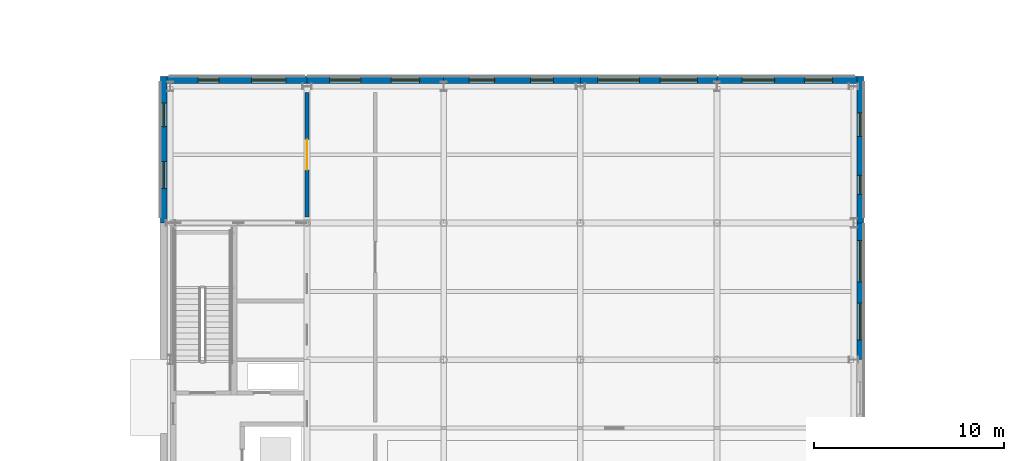
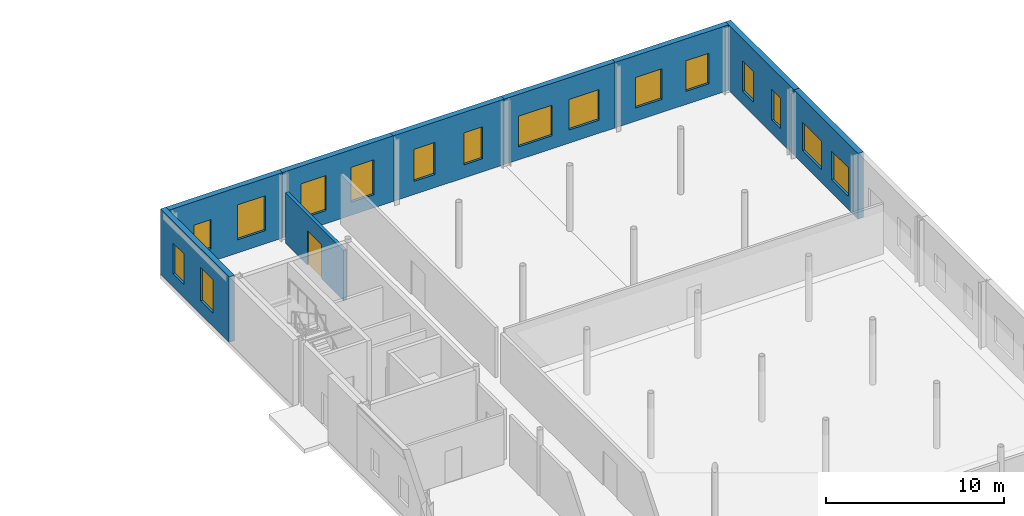
# One storey, part 70 of 92: 16 windows, 9 walls, 1 door, 17 openings.
"""IFC4 building model written with IfcOpenShell, lengths in metres."""

from ifc_helpers import new_model, si_unit, direction, frame, frame_2d, origin, place, context, subcontext, project, spatial, rectangle, extrude, material, layer, layer_set, type_object, element, fill, save


model = new_model("IFC4")

# Units and contexts
model_context = context("Model", 3, precision=1e-05, world=origin(), true_north=direction((0.0, 1.0)))
body_context = subcontext(model_context, "Body", "Model", "MODEL_VIEW")
ifc_project = project(units=[si_unit("LENGTHUNIT", "METRE"), si_unit("AREAUNIT", "SQUARE_METRE"), si_unit("VOLUMEUNIT", "CUBIC_METRE"), si_unit("PLANEANGLEUNIT", "RADIAN"), si_unit("MASSUNIT", "GRAM", prefix="KILO")], contexts=[model_context])

# Site, building, storey
site_placement = place(None, origin())
site = spatial("IfcSite", under=ifc_project, at=site_placement, CompositionType="ELEMENT")
building_placement = place(site_placement, origin())
building = spatial("IfcBuilding", under=site, at=building_placement, Name="Zlatovets Crest Museum", CompositionType="ELEMENT")
storey_placement = place(building_placement, origin())
storey = spatial("IfcBuildingStorey", under=building, at=storey_placement, Name="L00", CompositionType="ELEMENT", Elevation=0.0)

# Wall, openings, windows
ifc_material_1 = material(Name="Vratsa limestone ashlar masonry and mineral wool", Category="masonry")
ifc_layer_1 = layer(ifc_material_1, 0.35009765625)
ifc_layer_set_1 = layer_set([ifc_layer_1], Name="Vratsa limestone ashlar masonry and mineral wool")
wall_type_1 = type_object("IfcWallType", Name="ExtWall_EW-01", PredefinedType="STANDARD", material=ifc_layer_set_1)
wall_1_placement = place(storey_placement, frame((165.93994140625, 86.39990234375, 0.0), z_axis=(0.0, 0.0, 1.0), x_axis=(0.0, 1.0, 0.0)))
wall_1 = element("IfcWall", 1, at=wall_1_placement, inside=storey, type_object=wall_type_1, Name="V5 L00 Vratsa Limestone Plinth Wall", PredefinedType="STANDARD", context=body_context, shape_type="SweptSolid", body=[
    extrude(rectangle(XDim=7.2001953125, YDim=0.35009765625, at=frame_2d((3.60009765625, 0.0))), origin(), (0.0, 0.0, 1.0), 4.5),
])
opening_1_placement = place(wall_1_placement, frame((1.051025390625, 0.0, 0.89990234375)))
opening_1 = element("IfcOpeningElement", 2, at=opening_1_placement, cuts=wall_1, Name="Opening WN-38", PredefinedType="OPENING", context=body_context, shape_type="SweptSolid", body=[
    extrude(rectangle(XDim=1.929931640625, YDim=1.9599609375, at=frame_2d((0.96484375, 0.97998046875))), frame((0.0, 0.18505859375, 0.0), z_axis=(0.0, -1.0, 0.0), x_axis=(1.0, 0.0, 0.0)), (0.0, 0.0, 1.0), 0.3701171875),
])
opening_2_placement = place(wall_1_placement, frame((4.09912109375, 0.0, 0.89990234375)))
opening_2 = element("IfcOpeningElement", 3, at=opening_2_placement, cuts=wall_1, Name="Opening WN-39", PredefinedType="OPENING", context=body_context, shape_type="SweptSolid", body=[
    extrude(rectangle(XDim=2.169921875, YDim=1.9599609375, at=frame_2d((1.0849609375, 0.97998046875))), frame((0.0, 0.18505859375, 0.0), z_axis=(0.0, -1.0, 0.0), x_axis=(1.0, 0.0, 0.0)), (0.0, 0.0, 1.0), 0.3701171875),
])
ifc_material_2 = material(Name="Bronze-anodised aluminium frame with low-E triple glass", Category="aluminium")
window_type_1 = type_object("IfcWindowType", Name="Win_WN-38", PartitioningType="SINGLE_PANEL", PredefinedType="WINDOW", material=ifc_material_2)
window_1_placement = place(opening_1_placement, origin())
window_1 = element("IfcWindow", 4, at=window_1_placement, inside=storey, type_object=window_type_1, Name="V5 L00 Secession Plinth Window WN-38", OverallHeight=1.9599609375, OverallWidth=1.929931640625, PartitioningType="SINGLE_PANEL", PredefinedType="WINDOW", context=body_context, shape_type="SweptSolid", body=[
    extrude(rectangle(XDim=1.929931640625, YDim=1.9599609375, at=frame_2d((0.96484375, 0.97998046875))), frame((0.0, 0.030029296875, 0.0), z_axis=(0.0, -1.0, 0.0), x_axis=(1.0, 0.0, 0.0)), (0.0, 0.0, 1.0), 0.06005859375),
])
fill(opening_1, window_1)
window_type_2 = type_object("IfcWindowType", Name="Win_WN-39", PartitioningType="SINGLE_PANEL", PredefinedType="WINDOW", material=ifc_material_2)
window_2_placement = place(opening_2_placement, origin())
window_2 = element("IfcWindow", 5, at=window_2_placement, inside=storey, type_object=window_type_2, Name="V5 L00 Secession Plinth Window WN-39", OverallHeight=1.9599609375, OverallWidth=2.169921875, PartitioningType="SINGLE_PANEL", PredefinedType="WINDOW", context=body_context, shape_type="SweptSolid", body=[
    extrude(rectangle(XDim=2.169921875, YDim=1.9599609375, at=frame_2d((1.0849609375, 0.97998046875))), frame((0.0, 0.030029296875, 0.0), z_axis=(0.0, -1.0, 0.0), x_axis=(1.0, 0.0, 0.0)), (0.0, 0.0, 1.0), 0.06005859375),
])
fill(opening_2, window_2)

wall_2_placement = place(storey_placement, frame((165.93994140625, 93.60009765625, 0.0), z_axis=(0.0, 0.0, 1.0), x_axis=(0.0, 1.0, 0.0)))
wall_2 = element("IfcWall", 6, at=wall_2_placement, inside=storey, type_object=wall_type_1, Name="V5 L00 Vratsa Limestone Plinth Wall", PredefinedType="STANDARD", context=body_context, shape_type="SweptSolid", body=[
    extrude(rectangle(XDim=7.71484375, YDim=0.35009765625, at=frame_2d((3.857421875, 0.0))), origin(), (0.0, 0.0, 1.0), 4.5),
])
opening_3_placement = place(wall_2_placement, frame((1.51611328125, 0.0, 0.89990234375)))
opening_3 = element("IfcOpeningElement", 7, at=opening_3_placement, cuts=wall_2, Name="Opening WN-40", PredefinedType="OPENING", context=body_context, shape_type="SweptSolid", body=[
    extrude(rectangle(XDim=1.0, YDim=2.10009765625, at=frame_2d((0.5, 1.050048828125))), frame((0.0, 0.18505859375, 0.0), z_axis=(0.0, -1.0, 0.0), x_axis=(1.0, 0.0, 0.0)), (0.0, 0.0, 1.0), 0.3701171875),
])
opening_4_placement = place(wall_2_placement, frame((4.56396484375, 0.0, 0.89990234375)))
opening_4 = element("IfcOpeningElement", 8, at=opening_4_placement, cuts=wall_2, Name="Opening WN-41", PredefinedType="OPENING", context=body_context, shape_type="SweptSolid", body=[
    extrude(rectangle(XDim=1.239990234375, YDim=2.10009765625, at=frame_2d((0.6201171875, 1.050048828125))), frame((0.0, 0.18505859375, 0.0), z_axis=(0.0, -1.0, 0.0), x_axis=(1.0, 0.0, 0.0)), (0.0, 0.0, 1.0), 0.3701171875),
])
window_type_3 = type_object("IfcWindowType", Name="Win_WN-40", PartitioningType="SINGLE_PANEL", PredefinedType="WINDOW", material=ifc_material_2)
window_3_placement = place(opening_3_placement, origin())
window_3 = element("IfcWindow", 9, at=window_3_placement, inside=storey, type_object=window_type_3, Name="V5 L00 Secession Plinth Window WN-40", OverallHeight=2.10009765625, OverallWidth=1.0, PartitioningType="SINGLE_PANEL", PredefinedType="WINDOW", context=body_context, shape_type="SweptSolid", body=[
    extrude(rectangle(XDim=1.0, YDim=2.10009765625, at=frame_2d((0.5, 1.050048828125))), frame((0.0, 0.030029296875, 0.0), z_axis=(0.0, -1.0, 0.0), x_axis=(1.0, 0.0, 0.0)), (0.0, 0.0, 1.0), 0.06005859375),
])
fill(opening_3, window_3)
window_type_4 = type_object("IfcWindowType", Name="Win_WN-41", PartitioningType="SINGLE_PANEL", PredefinedType="WINDOW", material=ifc_material_2)
window_4_placement = place(opening_4_placement, origin())
window_4 = element("IfcWindow", 10, at=window_4_placement, inside=storey, type_object=window_type_4, Name="V5 L00 Secession Plinth Window WN-41", OverallHeight=2.10009765625, OverallWidth=1.239990234375, PartitioningType="SINGLE_PANEL", PredefinedType="WINDOW", context=body_context, shape_type="SweptSolid", body=[
    extrude(rectangle(XDim=1.239990234375, YDim=2.10009765625, at=frame_2d((0.6201171875, 1.050048828125))), frame((0.0, 0.030029296875, 0.0), z_axis=(0.0, -1.0, 0.0), x_axis=(1.0, 0.0, 0.0)), (0.0, 0.0, 1.0), 0.06005859375),
])
fill(opening_4, window_4)

wall_3_placement = place(storey_placement, frame((165.764892578125, 101.139892578125, 0.0), z_axis=(0.0, 0.0, 1.0), x_axis=(-1.0, 0.0, 0.0)))
wall_3 = element("IfcWall", 11, at=wall_3_placement, inside=storey, type_object=wall_type_1, Name="V5 L00 Vratsa Limestone Plinth Wall", PredefinedType="STANDARD", context=body_context, shape_type="SweptSolid", body=[
    extrude(rectangle(XDim=7.364990234375, YDim=0.35009765625, at=frame_2d((3.6826171875, 0.0))), origin(), (0.0, 0.0, 1.0), 4.5),
])
opening_5_placement = place(wall_3_placement, frame((1.27587890625, 0.0, 0.89990234375)))
opening_5 = element("IfcOpeningElement", 12, at=opening_5_placement, cuts=wall_3, Name="Opening WN-42", PredefinedType="OPENING", context=body_context, shape_type="SweptSolid", body=[
    extrude(rectangle(XDim=1.47998046875, YDim=2.10009765625, at=frame_2d((0.739990234375, 1.050048828125))), frame((0.0, 0.18505859375, 0.0), z_axis=(0.0, -1.0, 0.0), x_axis=(1.0, 0.0, 0.0)), (0.0, 0.0, 1.0), 0.3701171875),
])
opening_6_placement = place(wall_3_placement, frame((4.323974609375, 0.0, 0.89990234375)))
opening_6 = element("IfcOpeningElement", 13, at=opening_6_placement, cuts=wall_3, Name="Opening WN-43", PredefinedType="OPENING", context=body_context, shape_type="SweptSolid", body=[
    extrude(rectangle(XDim=1.719970703125, YDim=2.10009765625, at=frame_2d((0.85986328125, 1.050048828125))), frame((0.0, 0.18505859375, 0.0), z_axis=(0.0, -1.0, 0.0), x_axis=(1.0, 0.0, 0.0)), (0.0, 0.0, 1.0), 0.3701171875),
])
window_type_5 = type_object("IfcWindowType", Name="Win_WN-42", PartitioningType="SINGLE_PANEL", PredefinedType="WINDOW", material=ifc_material_2)
window_5_placement = place(opening_5_placement, origin())
window_5 = element("IfcWindow", 14, at=window_5_placement, inside=storey, type_object=window_type_5, Name="V5 L00 Secession Plinth Window WN-42", OverallHeight=2.10009765625, OverallWidth=1.47998046875, PartitioningType="SINGLE_PANEL", PredefinedType="WINDOW", context=body_context, shape_type="SweptSolid", body=[
    extrude(rectangle(XDim=1.47998046875, YDim=2.10009765625, at=frame_2d((0.739990234375, 1.050048828125))), frame((0.0, 0.030029296875, 0.0), z_axis=(0.0, -1.0, 0.0), x_axis=(1.0, 0.0, 0.0)), (0.0, 0.0, 1.0), 0.06005859375),
])
fill(opening_5, window_5)
window_type_6 = type_object("IfcWindowType", Name="Win_WN-43", PartitioningType="SINGLE_PANEL", PredefinedType="WINDOW", material=ifc_material_2)
window_6_placement = place(opening_6_placement, origin())
window_6 = element("IfcWindow", 15, at=window_6_placement, inside=storey, type_object=window_type_6, Name="V5 L00 Secession Plinth Window WN-43", OverallHeight=2.10009765625, OverallWidth=1.719970703125, PartitioningType="SINGLE_PANEL", PredefinedType="WINDOW", context=body_context, shape_type="SweptSolid", body=[
    extrude(rectangle(XDim=1.719970703125, YDim=2.10009765625, at=frame_2d((0.85986328125, 1.050048828125))), frame((0.0, 0.030029296875, 0.0), z_axis=(0.0, -1.0, 0.0), x_axis=(1.0, 0.0, 0.0)), (0.0, 0.0, 1.0), 0.06005859375),
])
fill(opening_6, window_6)

wall_4_placement = place(storey_placement, frame((158.39990234375, 101.139892578125, 0.0), z_axis=(0.0, 0.0, 1.0), x_axis=(-1.0, 0.0, 0.0)))
wall_4 = element("IfcWall", 16, at=wall_4_placement, inside=storey, type_object=wall_type_1, Name="V5 L00 Vratsa Limestone Plinth Wall", PredefinedType="STANDARD", context=body_context, shape_type="SweptSolid", body=[
    extrude(rectangle(XDim=7.199951171875, YDim=0.35009765625, at=frame_2d((3.60009765625, 0.0))), origin(), (0.0, 0.0, 1.0), 4.5),
])
opening_7_placement = place(wall_4_placement, frame((1.035888671875, 0.0, 0.89990234375)))
opening_7 = element("IfcOpeningElement", 17, at=opening_7_placement, cuts=wall_4, Name="Opening WN-44", PredefinedType="OPENING", context=body_context, shape_type="SweptSolid", body=[
    extrude(rectangle(XDim=1.9599609375, YDim=2.10009765625, at=frame_2d((0.97998046875, 1.050048828125))), frame((0.0, 0.18505859375, 0.0), z_axis=(0.0, -1.0, 0.0), x_axis=(1.0, 0.0, 0.0)), (0.0, 0.0, 1.0), 0.3701171875),
])
opening_8_placement = place(wall_4_placement, frame((4.083984375, 0.0, 0.89990234375)))
opening_8 = element("IfcOpeningElement", 18, at=opening_8_placement, cuts=wall_4, Name="Opening WN-45", PredefinedType="OPENING", context=body_context, shape_type="SweptSolid", body=[
    extrude(rectangle(XDim=2.199951171875, YDim=2.10009765625, at=frame_2d((1.10009765625, 1.050048828125))), frame((0.0, 0.18505859375, 0.0), z_axis=(0.0, -1.0, 0.0), x_axis=(1.0, 0.0, 0.0)), (0.0, 0.0, 1.0), 0.3701171875),
])
window_type_7 = type_object("IfcWindowType", Name="Win_WN-44", PartitioningType="SINGLE_PANEL", PredefinedType="WINDOW", material=ifc_material_2)
window_7_placement = place(opening_7_placement, origin())
window_7 = element("IfcWindow", 19, at=window_7_placement, inside=storey, type_object=window_type_7, Name="V5 L00 Secession Plinth Window WN-44", OverallHeight=2.10009765625, OverallWidth=1.9599609375, PartitioningType="SINGLE_PANEL", PredefinedType="WINDOW", context=body_context, shape_type="SweptSolid", body=[
    extrude(rectangle(XDim=1.9599609375, YDim=2.10009765625, at=frame_2d((0.97998046875, 1.050048828125))), frame((0.0, 0.030029296875, 0.0), z_axis=(0.0, -1.0, 0.0), x_axis=(1.0, 0.0, 0.0)), (0.0, 0.0, 1.0), 0.06005859375),
])
fill(opening_7, window_7)
window_type_8 = type_object("IfcWindowType", Name="Win_WN-45", PartitioningType="SINGLE_PANEL", PredefinedType="WINDOW", material=ifc_material_2)
window_8_placement = place(opening_8_placement, origin())
window_8 = element("IfcWindow", 20, at=window_8_placement, inside=storey, type_object=window_type_8, Name="V5 L00 Secession Plinth Window WN-45", OverallHeight=2.10009765625, OverallWidth=2.199951171875, PartitioningType="SINGLE_PANEL", PredefinedType="WINDOW", context=body_context, shape_type="SweptSolid", body=[
    extrude(rectangle(XDim=2.199951171875, YDim=2.10009765625, at=frame_2d((1.10009765625, 1.050048828125))), frame((0.0, 0.030029296875, 0.0), z_axis=(0.0, -1.0, 0.0), x_axis=(1.0, 0.0, 0.0)), (0.0, 0.0, 1.0), 0.06005859375),
])
fill(opening_8, window_8)

wall_5_placement = place(storey_placement, frame((151.199951171875, 101.139892578125, 0.0), z_axis=(0.0, 0.0, 1.0), x_axis=(-1.0, 0.0, 0.0)))
wall_5 = element("IfcWall", 21, at=wall_5_placement, inside=storey, type_object=wall_type_1, Name="V5 L00 Vratsa Limestone Plinth Wall", PredefinedType="STANDARD", context=body_context, shape_type="SweptSolid", body=[
    extrude(rectangle(XDim=7.199951171875, YDim=0.35009765625, at=frame_2d((3.60009765625, 0.0))), origin(), (0.0, 0.0, 1.0), 4.5),
])
opening_9_placement = place(wall_5_placement, frame((1.416015625, 0.0, 0.89990234375)))
opening_9 = element("IfcOpeningElement", 22, at=opening_9_placement, cuts=wall_5, Name="Opening WN-01", PredefinedType="OPENING", context=body_context, shape_type="SweptSolid", body=[
    extrude(rectangle(XDim=1.199951171875, YDim=2.199951171875, at=frame_2d((0.60009765625, 1.10009765625))), frame((0.0, 0.18505859375, 0.0), z_axis=(0.0, -1.0, 0.0), x_axis=(1.0, 0.0, 0.0)), (0.0, 0.0, 1.0), 0.3701171875),
])
opening_10_placement = place(wall_5_placement, frame((4.509033203125, 0.0, 0.89990234375)))
opening_10 = element("IfcOpeningElement", 23, at=opening_10_placement, cuts=wall_5, Name="Opening WN-02", PredefinedType="OPENING", context=body_context, shape_type="SweptSolid", body=[
    extrude(rectangle(XDim=1.35009765625, YDim=2.199951171875, at=frame_2d((0.675048828125, 1.10009765625))), frame((0.0, 0.18505859375, 0.0), z_axis=(0.0, -1.0, 0.0), x_axis=(1.0, 0.0, 0.0)), (0.0, 0.0, 1.0), 0.3701171875),
])
window_type_9 = type_object("IfcWindowType", Name="Win_WN-01", PartitioningType="SINGLE_PANEL", PredefinedType="WINDOW", material=ifc_material_2)
window_9_placement = place(opening_9_placement, origin())
window_9 = element("IfcWindow", 24, at=window_9_placement, inside=storey, type_object=window_type_9, Name="V5 L00 Secession Plinth Window WN-01", OverallHeight=2.199951171875, OverallWidth=1.199951171875, PartitioningType="SINGLE_PANEL", PredefinedType="WINDOW", context=body_context, shape_type="SweptSolid", body=[
    extrude(rectangle(XDim=1.199951171875, YDim=2.199951171875, at=frame_2d((0.60009765625, 1.10009765625))), frame((0.0, 0.030029296875, 0.0), z_axis=(0.0, -1.0, 0.0), x_axis=(1.0, 0.0, 0.0)), (0.0, 0.0, 1.0), 0.06005859375),
])
fill(opening_9, window_9)
window_type_10 = type_object("IfcWindowType", Name="Win_WN-02", PartitioningType="SINGLE_PANEL", PredefinedType="WINDOW", material=ifc_material_2)
window_10_placement = place(opening_10_placement, origin())
window_10 = element("IfcWindow", 25, at=window_10_placement, inside=storey, type_object=window_type_10, Name="V5 L00 Secession Plinth Window WN-02", OverallHeight=2.199951171875, OverallWidth=1.35009765625, PartitioningType="SINGLE_PANEL", PredefinedType="WINDOW", context=body_context, shape_type="SweptSolid", body=[
    extrude(rectangle(XDim=1.35009765625, YDim=2.199951171875, at=frame_2d((0.675048828125, 1.10009765625))), frame((0.0, 0.030029296875, 0.0), z_axis=(0.0, -1.0, 0.0), x_axis=(1.0, 0.0, 0.0)), (0.0, 0.0, 1.0), 0.06005859375),
])
fill(opening_10, window_10)

wall_6_placement = place(storey_placement, frame((144.0, 101.139892578125, 0.0), z_axis=(0.0, 0.0, 1.0), x_axis=(-1.0, 0.0, 0.0)))
wall_6 = element("IfcWall", 26, at=wall_6_placement, inside=storey, type_object=wall_type_1, Name="V5 L00 Vratsa Limestone Plinth Wall", PredefinedType="STANDARD", context=body_context, shape_type="SweptSolid", body=[
    extrude(rectangle(XDim=7.199951171875, YDim=0.35009765625, at=frame_2d((3.60009765625, 0.0))), origin(), (0.0, 0.0, 1.0), 4.5),
])
opening_11_placement = place(wall_6_placement, frame((1.26611328125, 0.0, 0.89990234375)))
opening_11 = element("IfcOpeningElement", 27, at=opening_11_placement, cuts=wall_6, Name="Opening WN-03", PredefinedType="OPENING", context=body_context, shape_type="SweptSolid", body=[
    extrude(rectangle(XDim=1.5, YDim=2.39990234375, at=frame_2d((0.75, 1.199951171875))), frame((0.0, 0.18505859375, 0.0), z_axis=(0.0, -1.0, 0.0), x_axis=(1.0, 0.0, 0.0)), (0.0, 0.0, 1.0), 0.3701171875),
])
opening_12_placement = place(wall_6_placement, frame((4.35888671875, 0.0, 0.89990234375)))
opening_12 = element("IfcOpeningElement", 28, at=opening_12_placement, cuts=wall_6, Name="Opening WN-04", PredefinedType="OPENING", context=body_context, shape_type="SweptSolid", body=[
    extrude(rectangle(XDim=1.64990234375, YDim=2.39990234375, at=frame_2d((0.824951171875, 1.199951171875))), frame((0.0, 0.18505859375, 0.0), z_axis=(0.0, -1.0, 0.0), x_axis=(1.0, 0.0, 0.0)), (0.0, 0.0, 1.0), 0.3701171875),
])
window_type_11 = type_object("IfcWindowType", Name="Win_WN-03", PartitioningType="SINGLE_PANEL", PredefinedType="WINDOW", material=ifc_material_2)
window_11_placement = place(opening_11_placement, origin())
window_11 = element("IfcWindow", 29, at=window_11_placement, inside=storey, type_object=window_type_11, Name="V5 L00 Secession Plinth Window WN-03", OverallHeight=2.39990234375, OverallWidth=1.5, PartitioningType="SINGLE_PANEL", PredefinedType="WINDOW", context=body_context, shape_type="SweptSolid", body=[
    extrude(rectangle(XDim=1.5, YDim=2.39990234375, at=frame_2d((0.75, 1.199951171875))), frame((0.0, 0.030029296875, 0.0), z_axis=(0.0, -1.0, 0.0), x_axis=(1.0, 0.0, 0.0)), (0.0, 0.0, 1.0), 0.06005859375),
])
fill(opening_11, window_11)
window_type_12 = type_object("IfcWindowType", Name="Win_WN-04", PartitioningType="SINGLE_PANEL", PredefinedType="WINDOW", material=ifc_material_2)
window_12_placement = place(opening_12_placement, origin())
window_12 = element("IfcWindow", 30, at=window_12_placement, inside=storey, type_object=window_type_12, Name="V5 L00 Secession Plinth Window WN-04", OverallHeight=2.39990234375, OverallWidth=1.64990234375, PartitioningType="SINGLE_PANEL", PredefinedType="WINDOW", context=body_context, shape_type="SweptSolid", body=[
    extrude(rectangle(XDim=1.64990234375, YDim=2.39990234375, at=frame_2d((0.824951171875, 1.199951171875))), frame((0.0, 0.030029296875, 0.0), z_axis=(0.0, -1.0, 0.0), x_axis=(1.0, 0.0, 0.0)), (0.0, 0.0, 1.0), 0.06005859375),
])
fill(opening_12, window_12)

wall_7_placement = place(storey_placement, frame((136.800048828125, 101.139892578125, 0.0), z_axis=(0.0, 0.0, 1.0), x_axis=(-1.0, 0.0, 0.0)))
wall_7 = element("IfcWall", 31, at=wall_7_placement, inside=storey, type_object=wall_type_1, Name="V5 L00 Vratsa Limestone Plinth Wall", PredefinedType="STANDARD", context=body_context, shape_type="SweptSolid", body=[
    extrude(rectangle(XDim=7.364990234375, YDim=0.35009765625, at=frame_2d((3.6826171875, 0.0))), origin(), (0.0, 0.0, 1.0), 4.5),
])
opening_13_placement = place(wall_7_placement, frame((1.115966796875, 0.0, 0.89990234375)))
opening_13 = element("IfcOpeningElement", 32, at=opening_13_placement, cuts=wall_7, Name="Opening WN-05", PredefinedType="OPENING", context=body_context, shape_type="SweptSolid", body=[
    extrude(rectangle(XDim=1.800048828125, YDim=2.39990234375, at=frame_2d((0.89990234375, 1.199951171875))), frame((0.0, 0.18505859375, 0.0), z_axis=(0.0, -1.0, 0.0), x_axis=(1.0, 0.0, 0.0)), (0.0, 0.0, 1.0), 0.3701171875),
])
opening_14_placement = place(wall_7_placement, frame((4.634033203125, 0.0, 0.89990234375)))
opening_14 = element("IfcOpeningElement", 33, at=opening_14_placement, cuts=wall_7, Name="Opening WN-06", PredefinedType="OPENING", context=body_context, shape_type="SweptSolid", body=[
    extrude(rectangle(XDim=1.10009765625, YDim=2.0, at=frame_2d((0.550048828125, 1.0))), frame((0.0, 0.18505859375, 0.0), z_axis=(0.0, -1.0, 0.0), x_axis=(1.0, 0.0, 0.0)), (0.0, 0.0, 1.0), 0.3701171875),
])
window_type_13 = type_object("IfcWindowType", Name="Win_WN-05", PartitioningType="SINGLE_PANEL", PredefinedType="WINDOW", material=ifc_material_2)
window_13_placement = place(opening_13_placement, origin())
window_13 = element("IfcWindow", 34, at=window_13_placement, inside=storey, type_object=window_type_13, Name="V5 L00 Secession Plinth Window WN-05", OverallHeight=2.39990234375, OverallWidth=1.800048828125, PartitioningType="SINGLE_PANEL", PredefinedType="WINDOW", context=body_context, shape_type="SweptSolid", body=[
    extrude(rectangle(XDim=1.800048828125, YDim=2.39990234375, at=frame_2d((0.89990234375, 1.199951171875))), frame((0.0, 0.030029296875, 0.0), z_axis=(0.0, -1.0, 0.0), x_axis=(1.0, 0.0, 0.0)), (0.0, 0.0, 1.0), 0.06005859375),
])
fill(opening_13, window_13)
window_type_14 = type_object("IfcWindowType", Name="Win_WN-06", PartitioningType="SINGLE_PANEL", PredefinedType="WINDOW", material=ifc_material_2)
window_14_placement = place(opening_14_placement, origin())
window_14 = element("IfcWindow", 35, at=window_14_placement, inside=storey, type_object=window_type_14, Name="V5 L00 Secession Plinth Window WN-06", OverallHeight=2.0, OverallWidth=1.10009765625, PartitioningType="SINGLE_PANEL", PredefinedType="WINDOW", context=body_context, shape_type="SweptSolid", body=[
    extrude(rectangle(XDim=1.10009765625, YDim=2.0, at=frame_2d((0.550048828125, 1.0))), frame((0.0, 0.030029296875, 0.0), z_axis=(0.0, -1.0, 0.0), x_axis=(1.0, 0.0, 0.0)), (0.0, 0.0, 1.0), 0.06005859375),
])
fill(opening_14, window_14)

wall_8_placement = place(storey_placement, frame((129.260009765625, 101.31494140625, 0.0), z_axis=(0.0, 0.0, 1.0), x_axis=(0.0, -1.0, 0.0)))
wall_8 = element("IfcWall", 36, at=wall_8_placement, inside=storey, type_object=wall_type_1, Name="V5 L00 Vratsa Limestone Plinth Wall", PredefinedType="STANDARD", context=body_context, shape_type="SweptSolid", body=[
    extrude(rectangle(XDim=7.71484375, YDim=0.35009765625, at=frame_2d((3.857421875, 0.0))), origin(), (0.0, 0.0, 1.0), 4.5),
])
opening_15_placement = place(wall_8_placement, frame((1.39111328125, 0.0, 0.89990234375)))
opening_15 = element("IfcOpeningElement", 37, at=opening_15_placement, cuts=wall_8, Name="Opening WN-07", PredefinedType="OPENING", context=body_context, shape_type="SweptSolid", body=[
    extrude(rectangle(XDim=1.25, YDim=2.10009765625, at=frame_2d((0.625, 1.050048828125))), frame((0.0, 0.18505859375, 0.0), z_axis=(0.0, -1.0, 0.0), x_axis=(1.0, 0.0, 0.0)), (0.0, 0.0, 1.0), 0.3701171875),
])
opening_16_placement = place(wall_8_placement, frame((4.48388671875, 0.0, 0.89990234375)))
opening_16 = element("IfcOpeningElement", 38, at=opening_16_placement, cuts=wall_8, Name="Opening WN-08", PredefinedType="OPENING", context=body_context, shape_type="SweptSolid", body=[
    extrude(rectangle(XDim=1.39990234375, YDim=2.300048828125, at=frame_2d((0.699951171875, 1.14990234375))), frame((0.0, 0.18505859375, 0.0), z_axis=(0.0, -1.0, 0.0), x_axis=(1.0, 0.0, 0.0)), (0.0, 0.0, 1.0), 0.3701171875),
])
window_type_15 = type_object("IfcWindowType", Name="Win_WN-07", PartitioningType="SINGLE_PANEL", PredefinedType="WINDOW", material=ifc_material_2)
window_15_placement = place(opening_15_placement, origin())
window_15 = element("IfcWindow", 39, at=window_15_placement, inside=storey, type_object=window_type_15, Name="V5 L00 Secession Plinth Window WN-07", OverallHeight=2.10009765625, OverallWidth=1.25, PartitioningType="SINGLE_PANEL", PredefinedType="WINDOW", context=body_context, shape_type="SweptSolid", body=[
    extrude(rectangle(XDim=1.25, YDim=2.10009765625, at=frame_2d((0.625, 1.050048828125))), frame((0.0, 0.030029296875, 0.0), z_axis=(0.0, -1.0, 0.0), x_axis=(1.0, 0.0, 0.0)), (0.0, 0.0, 1.0), 0.06005859375),
])
fill(opening_15, window_15)
window_type_16 = type_object("IfcWindowType", Name="Win_WN-08", PartitioningType="SINGLE_PANEL", PredefinedType="WINDOW", material=ifc_material_2)
window_16_placement = place(opening_16_placement, origin())
window_16 = element("IfcWindow", 40, at=window_16_placement, inside=storey, type_object=window_type_16, Name="V5 L00 Secession Plinth Window WN-08", OverallHeight=2.300048828125, OverallWidth=1.39990234375, PartitioningType="SINGLE_PANEL", PredefinedType="WINDOW", context=body_context, shape_type="SweptSolid", body=[
    extrude(rectangle(XDim=1.39990234375, YDim=2.300048828125, at=frame_2d((0.699951171875, 1.14990234375))), frame((0.0, 0.030029296875, 0.0), z_axis=(0.0, -1.0, 0.0), x_axis=(1.0, 0.0, 0.0)), (0.0, 0.0, 1.0), 0.06005859375),
])
fill(opening_16, window_16)

# Wall, opening, door
ifc_material_3 = material(Name="Gypsum-encased fire compartment partition")
ifc_layer_2 = layer(ifc_material_3, 0.199951171875)
ifc_layer_set_2 = layer_set([ifc_layer_2], Name="Gypsum-encased fire compartment partition")
wall_type_2 = type_object("IfcWallType", Name="PartWall_PT-01", PredefinedType="PARTITIONING", material=ifc_layer_set_2)
wall_9_placement = place(storey_placement, frame((136.800048828125, 93.919921875, 0.0), z_axis=(0.0, 0.0, 1.0), x_axis=(0.0, 1.0, 0.0)))
wall_9 = element("IfcWall", 41, at=wall_9_placement, inside=storey, type_object=wall_type_2, Name="V5 L00 Interior Partition PT-01", PredefinedType="PARTITIONING", context=body_context, shape_type="SweptSolid", body=[
    extrude(rectangle(XDim=6.56005859375, YDim=0.199951171875, at=frame_2d((3.280029296875, 0.0))), origin(), (0.0, 0.0, 1.0), 3.449951171875),
])
opening_17_placement = place(wall_9_placement, frame((2.47998046875, 0.0, 0.0)))
opening_17 = element("IfcOpeningElement", 42, at=opening_17_placement, cuts=wall_9, Name="Opening ID-04", PredefinedType="OPENING", context=body_context, shape_type="SweptSolid", body=[
    extrude(rectangle(XDim=1.60009765625, YDim=2.35009765625, at=frame_2d((0.800048828125, 1.175048828125))), frame((0.0, 0.10986328125, 0.0), z_axis=(0.0, -1.0, 0.0), x_axis=(1.0, 0.0, 0.0)), (0.0, 0.0, 1.0), 0.219970703125),
])
ifc_material_4 = material(Name="Gallery salon double portal door")
door_type = type_object("IfcDoorType", Name="IntDoor_ID-04", OperationType="DOUBLE_DOOR_SINGLE_SWING", PredefinedType="DOOR", material=ifc_material_4)
door_placement = place(opening_17_placement, origin())
door = element("IfcDoor", 43, at=door_placement, inside=storey, type_object=door_type, Name="IDOOR-V5-L00-0085 Conservation Ground Corridor to Registrar Documentation Studio Door", OperationType="DOUBLE_DOOR_SINGLE_SWING", OverallHeight=2.35009765625, OverallWidth=1.60009765625, PredefinedType="DOOR", context=body_context, shape_type="SweptSolid", body=[
    extrude(rectangle(XDim=1.60009765625, YDim=2.35009765625, at=frame_2d((0.800048828125, 1.175048828125))), frame((0.0, 0.02490234375, 0.0), z_axis=(0.0, -1.0, 0.0), x_axis=(1.0, 0.0, 0.0)), (0.0, 0.0, 1.0), 0.050048828125),
])
fill(opening_17, door)

save(model, "model.ifc")
